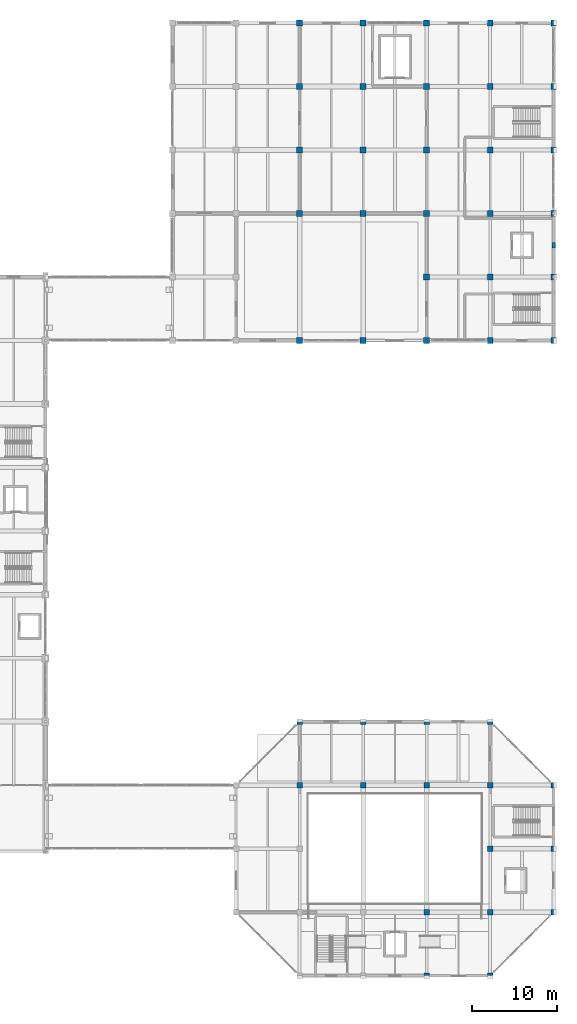
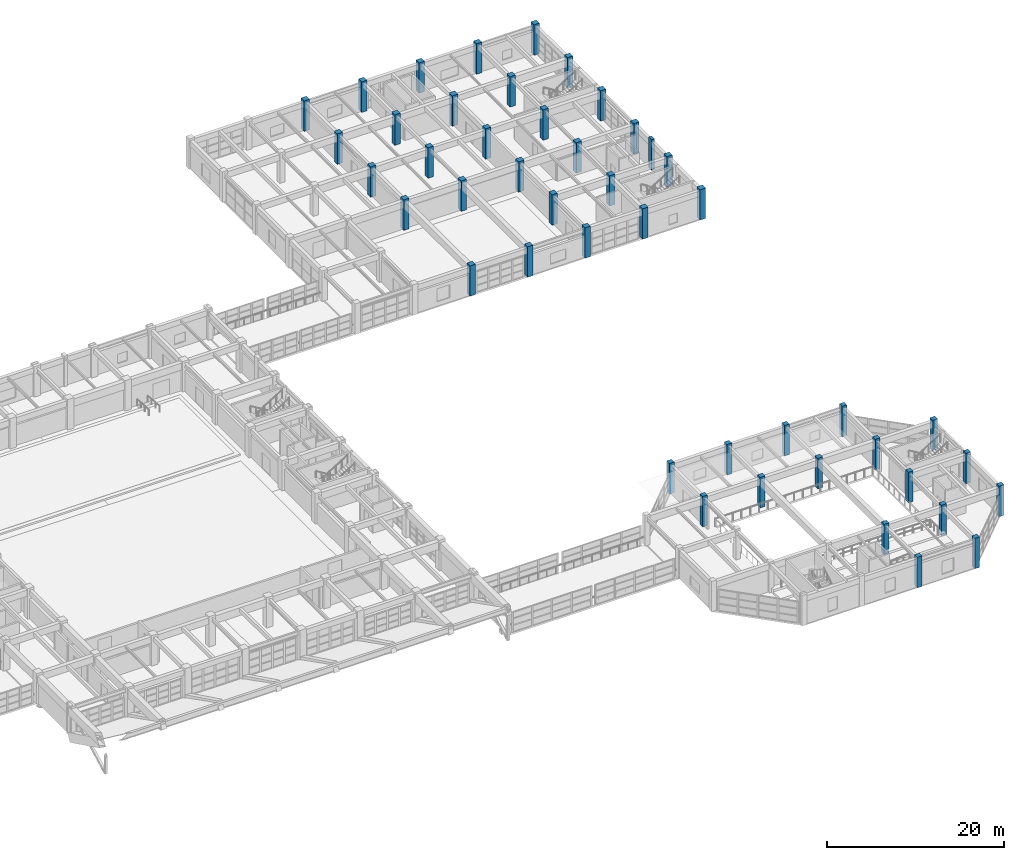
# One storey, part 2 of 132: 45 columns.
"""IFC4 building model written with IfcOpenShell, lengths in metres."""

from ifc_helpers import new_model, si_unit, direction, frame, origin, origin_2d, place, context, subcontext, project, spatial, rectangle, extrude, material, material_profile, profile_set, type_object, element, save


model = new_model("IFC4")

# Units and contexts
model_context = context("Model", 3, precision=1e-05, world=origin(), true_north=direction((0.0, 1.0)))
body_context = subcontext(model_context, "Body", "Model", "MODEL_VIEW")
ifc_project = project(units=[si_unit("LENGTHUNIT", "METRE"), si_unit("AREAUNIT", "SQUARE_METRE"), si_unit("VOLUMEUNIT", "CUBIC_METRE"), si_unit("PLANEANGLEUNIT", "RADIAN"), si_unit("MASSUNIT", "GRAM", prefix="KILO")], contexts=[model_context])

# Site, building, storey
site_placement = place(None, origin())
site = spatial("IfcSite", under=ifc_project, at=site_placement, CompositionType="ELEMENT")
building_placement = place(site_placement, origin())
building = spatial("IfcBuilding", under=site, at=building_placement, Name="Qasida Concert Hall", CompositionType="ELEMENT")
storey_placement = place(building_placement, frame((0.0, 0.0, 4.800048828125)))
storey = spatial("IfcBuildingStorey", under=building, at=storey_placement, Name="L01", CompositionType="ELEMENT", Elevation=4.800048828125)

# Columns
ifc_material = material(Name="Concrete C50/60", Category="concrete")
ifc_material_profile_1 = material_profile(ifc_material, rectangle(XDim=0.699951171875, YDim=0.699951171875, at=origin_2d()), Name="RC 700x700")
ifc_profile_set_1 = profile_set([ifc_material_profile_1], Name="Concrete C50/60")
column_type_1 = type_object("IfcColumnType", Name="COL-C-105", PredefinedType="COLUMN", material=ifc_profile_set_1)
for number, where, z_axis, x_axis, name in (
    (1, (135.0, 75.0, 0.0), (0.0, 0.0, 1.0), (1.0, 0.0, 0.0), "L01 column C-105 (V4)"),
    (2, (135.0, 90.0, 0.0), (0.0, 0.0, 1.0), (1.0, 0.0, 0.0), "L01 column C-105 (V4)"),
    (3, (135.0, 97.5, 0.0), (0.0, 0.0, 1.0), (1.0, 0.0, 0.0), "L01 column C-105 (V4)"),
    (4, (135.0, 105.0, 0.0), (0.0, 0.0, 1.0), (1.0, 0.0, 0.0), "L01 column C-105 (V4)"),
    (5, (135.0, 112.5, 0.0), (0.0, 0.0, 1.0), (1.0, 0.0, 0.0), "L01 column C-105 (V4)"),
    (6, (142.5, 75.0, 0.0), (0.0, 0.0, 1.0), (1.0, 0.0, 0.0), "L01 column C-105 (V4)"),
    (7, (142.5, 90.0, 0.0), (0.0, 0.0, 1.0), (1.0, 0.0, 0.0), "L01 column C-105 (V4)"),
    (8, (142.5, 97.5, 0.0), (0.0, 0.0, 1.0), (1.0, 0.0, 0.0), "L01 column C-105 (V4)"),
    (9, (142.5, 105.0, 0.0), (0.0, 0.0, 1.0), (1.0, 0.0, 0.0), "L01 column C-105 (V4)"),
    (10, (142.5, 112.5, 0.0), (0.0, 0.0, 1.0), (1.0, 0.0, 0.0), "L01 column C-105 (V4)"),
    (11, (150.0, 75.0, 0.0), (0.0, 0.0, 1.0), (1.0, 0.0, 0.0), "L01 column C-105 (V4)"),
    (12, (150.0, 82.5, 0.0), (0.0, 0.0, 1.0), (1.0, 0.0, 0.0), "L01 column C-105 (V4)"),
    (13, (150.0, 90.0, 0.0), (0.0, 0.0, 1.0), (1.0, 0.0, 0.0), "L01 column C-105 (V4)"),
    (14, (150.0, 97.5, 0.0), (0.0, 0.0, 1.0), (1.0, 0.0, 0.0), "L01 column C-105 (V4)"),
    (15, (150.0, 105.0, 0.0), (0.0, 0.0, 1.0), (1.0, 0.0, 0.0), "L01 column C-105 (V4)"),
    (16, (150.0, 112.5, 0.0), (0.0, 0.0, 1.0), (1.0, 0.0, 0.0), "L01 column C-105 (V4)"),
    (17, (157.5, 75.0, 0.0), (0.0, 0.0, 1.0), (1.0, 0.0, 0.0), "L01 column C-105 (V4)"),
    (18, (157.5, 82.5, 0.0), (0.0, 0.0, 1.0), (1.0, 0.0, 0.0), "L01 column C-105 (V4)"),
    (19, (157.5, 90.0, 0.0), (0.0, 0.0, 1.0), (1.0, 0.0, 0.0), "L01 column C-105 (V4)"),
    (20, (157.5, 97.5, 0.0), (0.0, 0.0, 1.0), (1.0, 0.0, 0.0), "L01 column C-105 (V4)"),
    (21, (157.5, 105.0, 0.0), (0.0, 0.0, 1.0), (1.0, 0.0, 0.0), "L01 column C-105 (V4)"),
    (22, (157.5, 112.5, 0.0), (0.0, 0.0, 1.0), (1.0, 0.0, 0.0), "L01 column C-105 (V4)"),
    (23, (165.0, 75.0, 0.0), (0.0, 0.0, 1.0), (1.0, 0.0, 0.0), "L01 column C-105 (V4)"),
    (24, (165.0, 82.5, 0.0), (0.0, 0.0, 1.0), (1.0, 0.0, 0.0), "L01 column C-105 (V4)"),
    (25, (165.0, 90.0, 0.0), (0.0, 0.0, 1.0), (1.0, 0.0, 0.0), "L01 column C-105 (V4)"),
    (26, (165.0, 97.5, 0.0), (0.0, 0.0, 1.0), (1.0, 0.0, 0.0), "L01 column C-105 (V4)"),
    (27, (165.0, 105.0, 0.0), (0.0, 0.0, 1.0), (1.0, 0.0, 0.0), "L01 column C-105 (V4)"),
    (28, (165.0, 112.5, 0.0), (0.0, 0.0, 1.0), (1.0, 0.0, 0.0), "L01 column C-105 (V4)"),
):
    element("IfcColumn", number, at=place(storey_placement, frame(where, z_axis=z_axis, x_axis=x_axis)), inside=storey, type_object=column_type_1, Name=name, PredefinedType="COLUMN", context=body_context, shape_type="SweptSolid", body=[
        extrude(rectangle(XDim=0.699951171875, YDim=0.699951171875, at=origin_2d()), origin(), (0.0, 0.0, 1.0), 4.199951171875),
    ])
ifc_material_profile_2 = material_profile(ifc_material, rectangle(XDim=0.6201171875, YDim=0.6201171875, at=origin_2d()), Name="RC 620x620")
ifc_profile_set_2 = profile_set([ifc_material_profile_2], Name="Concrete C50/60")
column_type_2 = type_object("IfcColumnType", Name="COL-C-121", PredefinedType="COLUMN", material=ifc_profile_set_2)
for number, where, z_axis, x_axis, name in (
    (29, (135.0, 22.5, 0.0), (0.0, 0.0, 1.0), (1.0, 0.0, 0.0), "L01 column C-121 (V2)"),
    (30, (135.0, 30.0, 0.0), (0.0, 0.0, 1.0), (1.0, 0.0, 0.0), "L01 column C-121 (V2)"),
    (31, (142.5, 22.5, 0.0), (0.0, 0.0, 1.0), (1.0, 0.0, 0.0), "L01 column C-121 (V2)"),
    (32, (142.5, 30.0, 0.0), (0.0, 0.0, 1.0), (1.0, 0.0, 0.0), "L01 column C-121 (V2)"),
    (33, (150.0, 0.0, 0.0), (0.0, 0.0, 1.0), (1.0, 0.0, 0.0), "L01 column C-121 (V2)"),
    (34, (150.0, 7.5, 0.0), (0.0, 0.0, 1.0), (1.0, 0.0, 0.0), "L01 column C-121 (V2)"),
    (35, (150.0, 22.5, 0.0), (0.0, 0.0, 1.0), (1.0, 0.0, 0.0), "L01 column C-121 (V2)"),
    (36, (150.0, 30.0, 0.0), (0.0, 0.0, 1.0), (1.0, 0.0, 0.0), "L01 column C-121 (V2)"),
    (37, (157.5, 0.0, 0.0), (0.0, 0.0, 1.0), (1.0, 0.0, 0.0), "L01 column C-121 (V2)"),
    (38, (157.5, 7.5, 0.0), (0.0, 0.0, 1.0), (1.0, 0.0, 0.0), "L01 column C-121 (V2)"),
    (39, (157.5, 15.0, 0.0), (0.0, 0.0, 1.0), (1.0, 0.0, 0.0), "L01 column C-121 (V2)"),
    (40, (157.5, 22.5, 0.0), (0.0, 0.0, 1.0), (1.0, 0.0, 0.0), "L01 column C-121 (V2)"),
    (41, (157.5, 30.0, 0.0), (0.0, 0.0, 1.0), (1.0, 0.0, 0.0), "L01 column C-121 (V2)"),
    (42, (165.0, 7.5, 0.0), (0.0, 0.0, 1.0), (1.0, 0.0, 0.0), "L01 column C-121 (V2)"),
    (43, (165.0, 15.0, 0.0), (0.0, 0.0, 1.0), (1.0, 0.0, 0.0), "L01 column C-121 (V2)"),
    (44, (165.0, 22.5, 0.0), (0.0, 0.0, 1.0), (1.0, 0.0, 0.0), "L01 column C-121 (V2)"),
):
    element("IfcColumn", number, at=place(storey_placement, frame(where, z_axis=z_axis, x_axis=x_axis)), inside=storey, type_object=column_type_2, Name=name, PredefinedType="COLUMN", context=body_context, shape_type="SweptSolid", body=[
        extrude(rectangle(XDim=0.6201171875, YDim=0.6201171875, at=origin_2d()), origin(), (0.0, 0.0, 1.0), 4.199951171875),
    ])
ifc_material_profile_3 = material_profile(ifc_material, rectangle(XDim=0.39990234375, YDim=0.699951171875, at=origin_2d()), Name="RC 400x700")
ifc_profile_set_3 = profile_set([ifc_material_profile_3], Name="Concrete C50/60")
column_type_3 = type_object("IfcColumnType", Name="COL-PL-202", PredefinedType="PILASTER", material=ifc_profile_set_3)
column_placement = place(storey_placement, frame((165.0, 86.25, 0.0), z_axis=(0.0, 0.0, 1.0), x_axis=(1.0, 0.0, 0.0)))
element("IfcColumn", 45, at=column_placement, inside=storey, type_object=column_type_3, Name="L01 Art Deco pilaster PL-202", PredefinedType="PILASTER", context=body_context, shape_type="SweptSolid", body=[
    extrude(rectangle(XDim=0.39990234375, YDim=0.699951171875, at=origin_2d()), origin(), (0.0, 0.0, 1.0), 4.199951171875),
])

save(model, "model.ifc")
